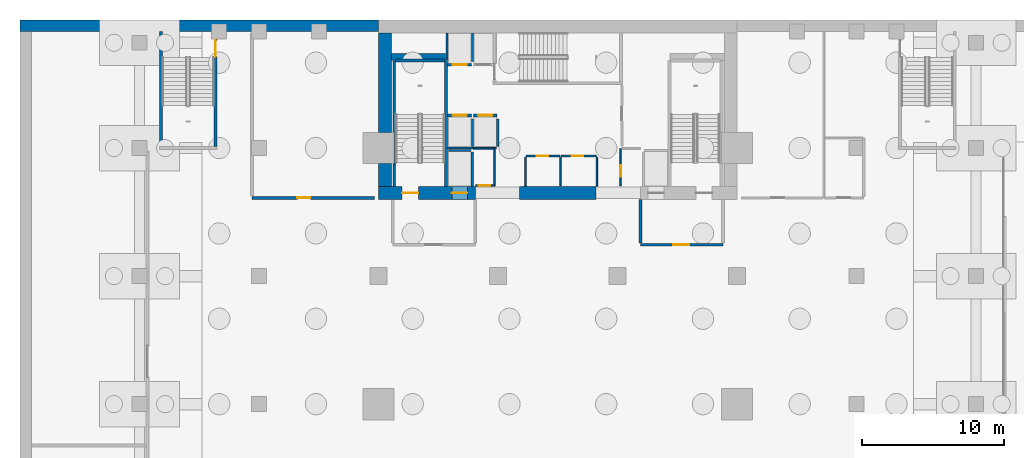
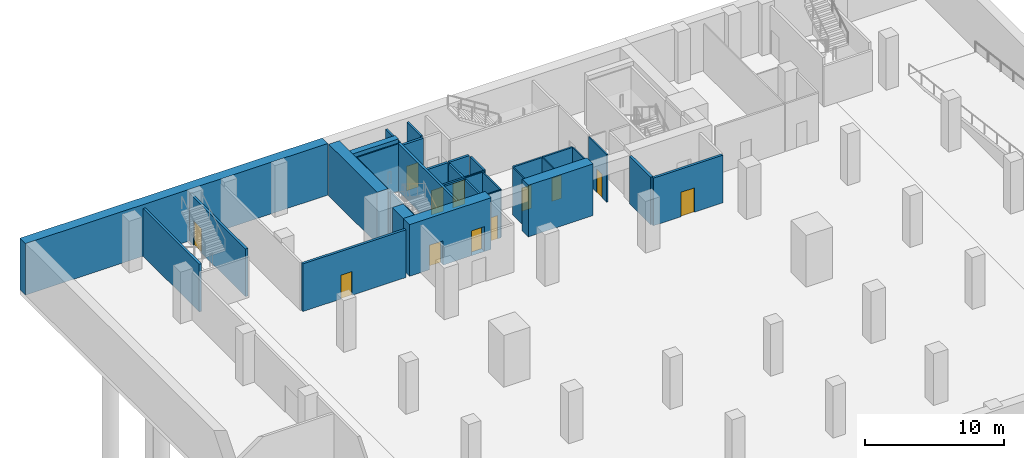
# One storey, part 3 of 9: 35 walls, 12 doors, 12 openings.
"""IFC4 building model written with IfcOpenShell, lengths in metres."""

from ifc_helpers import new_model, si_unit, direction, frame, frame_2d, origin, place, context, subcontext, project, spatial, rectangle, extrude, material, layer, layer_set, type_object, element, fill, save


model = new_model("IFC4")

# Units and contexts
model_context = context("Model", 3, precision=1e-05, world=origin(), true_north=direction((0.0, 1.0)))
body_context = subcontext(model_context, "Body", "Model", "MODEL_VIEW")
ifc_project = project(units=[si_unit("LENGTHUNIT", "METRE"), si_unit("AREAUNIT", "SQUARE_METRE"), si_unit("VOLUMEUNIT", "CUBIC_METRE"), si_unit("PLANEANGLEUNIT", "RADIAN"), si_unit("MASSUNIT", "GRAM", prefix="KILO")], contexts=[model_context])

# Site, building, storey
site_placement = place(None, origin())
site = spatial("IfcSite", under=ifc_project, at=site_placement, CompositionType="ELEMENT")
building_placement = place(site_placement, origin())
building = spatial("IfcBuilding", under=site, at=building_placement, Name="Maruvema Waterfront Hotel and Observation Tower", CompositionType="ELEMENT")
storey_placement = place(building_placement, frame((0.0, 0.0, -9.800048828125)))
storey = spatial("IfcBuildingStorey", under=building, at=storey_placement, Name="B02", CompositionType="ELEMENT", Elevation=-9.800048828125)

# Wall, opening, door
ifc_material_1 = material(Name="Twin-stud acoustic gypsum drywall", Category="gypsum")
ifc_layer_1 = layer(ifc_material_1, 0.14990234375, Name="Acoustic Corridor and Suite Demising Wall 150 mm")
ifc_layer_set_1 = layer_set([ifc_layer_1], Name="Twin-stud acoustic gypsum drywall")
wall_type_1 = type_object("IfcWallType", Name="Acoustic Corridor and Suite Demising Wall 150 mm", PredefinedType="PARTITIONING", material=ifc_layer_set_1)
wall_1_placement = place(storey_placement, frame((35.56005859375, 44.43994140625, 0.0), z_axis=(0.0, 0.0, 1.0), x_axis=(1.0, 0.0, 0.0)))
wall_1 = element("IfcWall", 1, at=wall_1_placement, inside=storey, type_object=wall_type_1, Name="B02 Core Riser Wall W 012", PredefinedType="PARTITIONING", context=body_context, shape_type="SweptSolid", body=[
    extrude(rectangle(XDim=2.39990234375, YDim=0.14990234375, at=frame_2d((1.199951171875, 0.0))), origin(), (0.0, 0.0, 1.0), 4.199951171875),
])
opening_1_placement = place(wall_1_placement, frame((0.75, 0.0, 0.0)))
opening_1 = element("IfcOpeningElement", 2, at=opening_1_placement, cuts=wall_1, Name="Opening DR-080", PredefinedType="OPENING", context=body_context, shape_type="SweptSolid", body=[
    extrude(rectangle(XDim=0.800048828125, YDim=2.050048828125, at=frame_2d((0.39990234375, 1.02490234375))), frame((0.0, 0.0849609375, 0.0), z_axis=(0.0, -1.0, 0.0), x_axis=(1.0, 0.0, 0.0)), (0.0, 0.0, 1.0), 0.169921875),
])
ifc_material_2 = material(Name="Powder-coated steel access leaf", Category="steel")
door_type_1 = type_object("IfcDoorType", Name="Riser and Service Cupboard Door 800x2050 mm", OperationType="NOTDEFINED", PredefinedType="DOOR", material=ifc_material_2)
door_1_placement = place(opening_1_placement, origin())
door_1 = element("IfcDoor", 3, at=door_1_placement, inside=storey, type_object=door_type_1, Name="B02 Electrical Riser Door", OperationType="SINGLE_SWING_RIGHT", OverallHeight=2.050048828125, OverallWidth=0.800048828125, PredefinedType="DOOR", context=body_context, shape_type="SweptSolid", body=[
    extrude(rectangle(XDim=0.800048828125, YDim=2.050048828125, at=frame_2d((0.39990234375, 1.02490234375))), frame((0.0, 0.02490234375, 0.0), z_axis=(0.0, -1.0, 0.0), x_axis=(1.0, 0.0, 0.0)), (0.0, 0.0, 1.0), 0.050048828125),
])
fill(opening_1, door_1)

wall_2_placement = place(storey_placement, frame((38.0400390625, 44.43994140625, 0.0), z_axis=(0.0, 0.0, 1.0), x_axis=(1.0, 0.0, 0.0)))
wall_2 = element("IfcWall", 4, at=wall_2_placement, inside=storey, type_object=wall_type_1, Name="B02 Core Riser Wall E 013", PredefinedType="PARTITIONING", context=body_context, shape_type="SweptSolid", body=[
    extrude(rectangle(XDim=2.47998046875, YDim=0.14990234375, at=frame_2d((1.239990234375, 0.0))), origin(), (0.0, 0.0, 1.0), 4.199951171875),
])
opening_2_placement = place(wall_2_placement, frame((0.75, 0.0, 0.0)))
opening_2 = element("IfcOpeningElement", 5, at=opening_2_placement, cuts=wall_2, Name="Opening DR-080", PredefinedType="OPENING", context=body_context, shape_type="SweptSolid", body=[
    extrude(rectangle(XDim=0.800048828125, YDim=2.050048828125, at=frame_2d((0.39990234375, 1.02490234375))), frame((0.0, 0.0849609375, 0.0), z_axis=(0.0, -1.0, 0.0), x_axis=(1.0, 0.0, 0.0)), (0.0, 0.0, 1.0), 0.169921875),
])
door_2_placement = place(opening_2_placement, origin())
door_2 = element("IfcDoor", 6, at=door_2_placement, inside=storey, type_object=door_type_1, Name="B02 Plumbing Riser Door", OperationType="SINGLE_SWING_LEFT", OverallHeight=2.050048828125, OverallWidth=0.800048828125, PredefinedType="DOOR", context=body_context, shape_type="SweptSolid", body=[
    extrude(rectangle(XDim=0.800048828125, YDim=2.050048828125, at=frame_2d((0.39990234375, 1.02490234375))), frame((0.0, 0.02490234375, 0.0), z_axis=(0.0, -1.0, 0.0), x_axis=(1.0, 0.0, 0.0)), (0.0, 0.0, 1.0), 0.050048828125),
])
fill(opening_2, door_2)

# Walls
ifc_material_3 = material(Name="Concrete C60/75", Category="concrete")
ifc_layer_2 = layer(ifc_material_3, 0.800048828125, Name="Basement Retaining Diaphragm Wall 800 mm")
ifc_layer_set_2 = layer_set([ifc_layer_2], Name="Concrete C60/75")
wall_type_2 = type_object("IfcWallType", Name="Basement Retaining Diaphragm Wall 800 mm", PredefinedType="USERDEFINED", material=ifc_layer_set_2)
wall_3_placement = place(storey_placement, frame((0.0, 53.60009765625, 0.0), z_axis=(0.0, 0.0, 1.0), x_axis=(1.0, 0.0, 0.0)))
element("IfcWall", 7, at=wall_3_placement, inside=storey, type_object=wall_type_2, Name="B02 North-West Retaining Diaphragm Wall 800 mm", ObjectType="RETAINING WALL", PredefinedType="USERDEFINED", context=body_context, shape_type="SweptSolid", body=[
    extrude(rectangle(XDim=25.199951171875, YDim=0.800048828125, at=frame_2d((12.60009765625, 0.0))), origin(), (0.0, 0.0, 1.0), 4.550048828125),
])
ifc_material_4 = material(Name="Precast concrete C45/55", Category="concrete")
ifc_layer_3 = layer(ifc_material_4, 0.199951171875, Name="Core Shaft and Stairwell Enclosure Wall 200 mm")
ifc_layer_set_3 = layer_set([ifc_layer_3], Name="Precast concrete C45/55")
wall_type_3 = type_object("IfcWallType", Name="Core Shaft and Stairwell Enclosure Wall 200 mm", PredefinedType="SOLIDWALL", material=ifc_layer_set_3)
wall_4_placement = place(storey_placement, frame((29.949951171875, 42.300048828125, 0.0), z_axis=(0.0, 0.0, 1.0), x_axis=(0.0, 1.0, 0.0)))
element("IfcWall", 8, at=wall_4_placement, inside=storey, type_object=wall_type_3, Name="B02 Stairwell ST-01 East Shaft Wall", PredefinedType="SOLIDWALL", context=body_context, shape_type="SweptSolid", body=[
    extrude(rectangle(XDim=8.849853515625, YDim=0.199951171875, at=frame_2d((4.4248046875, 0.0))), origin(), (0.0, 0.0, 1.0), 4.199951171875),
])
wall_5_placement = place(storey_placement, frame((26.300048828125, 42.300048828125, 0.0), z_axis=(0.0, 0.0, 1.0), x_axis=(0.0, 1.0, 0.0)))
element("IfcWall", 9, at=wall_5_placement, inside=storey, type_object=wall_type_3, Name="B02 Stairwell ST-01 Shaft Lining Wall", PredefinedType="SOLIDWALL", context=body_context, shape_type="SweptSolid", body=[
    extrude(rectangle(XDim=1.579833984375, YDim=0.199951171875, at=frame_2d((0.7900390625, 0.0))), origin(), (0.0, 0.0, 1.0), 4.199951171875),
])
wall_6_placement = place(storey_placement, frame((26.300048828125, 46.1201171875, 0.0), z_axis=(0.0, 0.0, 1.0), x_axis=(0.0, 1.0, 0.0)))
element("IfcWall", 10, at=wall_6_placement, inside=storey, type_object=wall_type_3, Name="B02 Stairwell ST-01 Shaft Lining Wall", PredefinedType="SOLIDWALL", context=body_context, shape_type="SweptSolid", body=[
    extrude(rectangle(XDim=5.0, YDim=0.199951171875, at=frame_2d((2.5, 0.0))), origin(), (0.0, 0.0, 1.0), 4.199951171875),
])
wall_7_placement = place(storey_placement, frame((26.3798828125, 51.14990234375, 0.0), z_axis=(0.0, 0.0, 1.0), x_axis=(1.0, 0.0, 0.0)))
element("IfcWall", 11, at=wall_7_placement, inside=storey, type_object=wall_type_3, Name="B02 Stairwell ST-01 Shaft Lining Wall", PredefinedType="SOLIDWALL", context=body_context, shape_type="SweptSolid", body=[
    extrude(rectangle(XDim=3.5, YDim=0.199951171875, at=frame_2d((1.75, 0.0))), origin(), (0.0, 0.0, 1.0), 4.199951171875),
])
wall_8_placement = place(storey_placement, frame((9.89990234375, 45.10009765625, 0.0), z_axis=(0.0, 0.0, 1.0), x_axis=(0.0, 1.0, 0.0)))
element("IfcWall", 12, at=wall_8_placement, inside=storey, type_object=wall_type_3, Name="B02 Stairwell ST-04 Shaft Wall", PredefinedType="SOLIDWALL", context=body_context, shape_type="SweptSolid", body=[
    extrude(rectangle(XDim=8.099853515625, YDim=0.199951171875, at=frame_2d((4.0498046875, 0.0))), origin(), (0.0, 0.0, 1.0), 4.199951171875),
])

# Wall, opening, door
wall_9_placement = place(storey_placement, frame((13.75, 45.10009765625, 0.0), z_axis=(0.0, 0.0, 1.0), x_axis=(0.0, 1.0, 0.0)))
wall_9 = element("IfcWall", 13, at=wall_9_placement, inside=storey, type_object=wall_type_3, Name="B02 Stairwell ST-04 Shaft Wall", PredefinedType="SOLIDWALL", context=body_context, shape_type="SweptSolid", body=[
    extrude(rectangle(XDim=8.099853515625, YDim=0.199951171875, at=frame_2d((4.0498046875, 0.0))), origin(), (0.0, 0.0, 1.0), 4.199951171875),
])
opening_3_placement = place(wall_9_placement, frame((6.320068359375, 0.0, 0.0)))
opening_3 = element("IfcOpeningElement", 14, at=opening_3_placement, cuts=wall_9, Name="Opening SD-01", PredefinedType="OPENING", context=body_context, shape_type="SweptSolid", body=[
    extrude(rectangle(XDim=1.14990234375, YDim=2.14990234375, at=frame_2d((0.574951171875, 1.074951171875))), frame((0.0, 0.10986328125, 0.0), z_axis=(0.0, -1.0, 0.0), x_axis=(1.0, 0.0, 0.0)), (0.0, 0.0, 1.0), 0.219970703125),
])
ifc_material_5 = material(Name="Fire-rated galvanised steel leaf", Category="steel")
door_type_2 = type_object("IfcDoorType", Name="Exit Stair Fire Door 1150x2150 mm", OperationType="NOTDEFINED", PredefinedType="DOOR", material=ifc_material_5)
door_3_placement = place(opening_3_placement, origin())
door_3 = element("IfcDoor", 15, at=door_3_placement, inside=storey, type_object=door_type_2, Name="B02 Exit Stair ST-04 Fire Door", OperationType="SINGLE_SWING_RIGHT", OverallHeight=2.14990234375, OverallWidth=1.14990234375, PredefinedType="DOOR", context=body_context, shape_type="SweptSolid", body=[
    extrude(rectangle(XDim=1.14990234375, YDim=2.14990234375, at=frame_2d((0.574951171875, 1.074951171875))), frame((0.0, 0.02490234375, 0.0), z_axis=(0.0, -1.0, 0.0), x_axis=(1.0, 0.0, 0.0)), (0.0, 0.0, 1.0), 0.050048828125),
])
fill(opening_3, door_3)

wall_10_placement = place(storey_placement, frame((30.06005859375, 47.300048828125, 0.0), z_axis=(0.0, 0.0, 1.0), x_axis=(1.0, 0.0, 0.0)))
wall_10 = element("IfcWall", 16, at=wall_10_placement, inside=storey, type_object=wall_type_3, Name="B02 Lift LF-01 Hoistway Front Wall", PredefinedType="SOLIDWALL", context=body_context, shape_type="SweptSolid", body=[
    extrude(rectangle(XDim=1.679931640625, YDim=0.199951171875, at=frame_2d((0.83984375, 0.0))), origin(), (0.0, 0.0, 1.0), 4.199951171875),
])
opening_4_placement = place(wall_10_placement, frame((0.340087890625, 0.0, 0.0)))
opening_4 = element("IfcOpeningElement", 17, at=opening_4_placement, cuts=wall_10, Name="Opening LD-01", PredefinedType="OPENING", context=body_context, shape_type="SweptSolid", body=[
    extrude(rectangle(XDim=1.0, YDim=2.14990234375, at=frame_2d((0.5, 1.074951171875))), frame((0.0, 0.10986328125, 0.0), z_axis=(0.0, -1.0, 0.0), x_axis=(1.0, 0.0, 0.0)), (0.0, 0.0, 1.0), 0.219970703125),
])
ifc_material_6 = material(Name="Brushed stainless steel Grade 316", Category="steel")
door_type_3 = type_object("IfcDoorType", Name="Passenger Lift Sliding Landing Door 1000x2150 mm", OperationType="SLIDING_TO_LEFT", PredefinedType="DOOR", material=ifc_material_6)
door_4_placement = place(opening_4_placement, origin())
door_4 = element("IfcDoor", 18, at=door_4_placement, inside=storey, type_object=door_type_3, Name="B02 Lift LF-01 Sliding Landing Door", OperationType="SLIDING_TO_LEFT", OverallHeight=2.14990234375, OverallWidth=1.0, PredefinedType="DOOR", context=body_context, shape_type="SweptSolid", body=[
    extrude(rectangle(XDim=1.0, YDim=2.14990234375, at=frame_2d((0.5, 1.074951171875))), frame((0.0, 0.02490234375, 0.0), z_axis=(0.0, -1.0, 0.0), x_axis=(1.0, 0.0, 0.0)), (0.0, 0.0, 1.0), 0.050048828125),
])
fill(opening_4, door_4)

wall_11_placement = place(storey_placement, frame((31.860107421875, 47.300048828125, 0.0), z_axis=(0.0, 0.0, 1.0), x_axis=(1.0, 0.0, 0.0)))
wall_11 = element("IfcWall", 19, at=wall_11_placement, inside=storey, type_object=wall_type_3, Name="B02 Lift LF-02 Hoistway Front Wall", PredefinedType="SOLIDWALL", context=body_context, shape_type="SweptSolid", body=[
    extrude(rectangle(XDim=1.679931640625, YDim=0.199951171875, at=frame_2d((0.83984375, 0.0))), origin(), (0.0, 0.0, 1.0), 4.199951171875),
])
opening_5_placement = place(wall_11_placement, frame((0.340087890625, 0.0, 0.0)))
opening_5 = element("IfcOpeningElement", 20, at=opening_5_placement, cuts=wall_11, Name="Opening LD-01", PredefinedType="OPENING", context=body_context, shape_type="SweptSolid", body=[
    extrude(rectangle(XDim=1.0, YDim=2.14990234375, at=frame_2d((0.5, 1.074951171875))), frame((0.0, 0.10986328125, 0.0), z_axis=(0.0, -1.0, 0.0), x_axis=(1.0, 0.0, 0.0)), (0.0, 0.0, 1.0), 0.219970703125),
])
door_5_placement = place(opening_5_placement, origin())
door_5 = element("IfcDoor", 21, at=door_5_placement, inside=storey, type_object=door_type_3, Name="B02 Lift LF-02 Sliding Landing Door", OperationType="SLIDING_TO_LEFT", OverallHeight=2.14990234375, OverallWidth=1.0, PredefinedType="DOOR", context=body_context, shape_type="SweptSolid", body=[
    extrude(rectangle(XDim=1.0, YDim=2.14990234375, at=frame_2d((0.5, 1.074951171875))), frame((0.0, 0.02490234375, 0.0), z_axis=(0.0, -1.0, 0.0), x_axis=(1.0, 0.0, 0.0)), (0.0, 0.0, 1.0), 0.050048828125),
])
fill(opening_5, door_5)

wall_12_placement = place(storey_placement, frame((30.06005859375, 50.85009765625, 0.0), z_axis=(0.0, 0.0, 1.0), x_axis=(1.0, 0.0, 0.0)))
wall_12 = element("IfcWall", 22, at=wall_12_placement, inside=storey, type_object=wall_type_3, Name="B02 Lift LF-03 Hoistway Front Wall", PredefinedType="SOLIDWALL", context=body_context, shape_type="SweptSolid", body=[
    extrude(rectangle(XDim=1.679931640625, YDim=0.199951171875, at=frame_2d((0.83984375, 0.0))), origin(), (0.0, 0.0, 1.0), 4.199951171875),
])
opening_6_placement = place(wall_12_placement, frame((0.340087890625, 0.0, 0.0)))
opening_6 = element("IfcOpeningElement", 23, at=opening_6_placement, cuts=wall_12, Name="Opening LD-01", PredefinedType="OPENING", context=body_context, shape_type="SweptSolid", body=[
    extrude(rectangle(XDim=1.0, YDim=2.14990234375, at=frame_2d((0.5, 1.074951171875))), frame((0.0, 0.10986328125, 0.0), z_axis=(0.0, -1.0, 0.0), x_axis=(1.0, 0.0, 0.0)), (0.0, 0.0, 1.0), 0.219970703125),
])
door_6_placement = place(opening_6_placement, frame((1.0, 0.0, 0.0), z_axis=(0.0, 0.0, 1.0), x_axis=(-1.0, 0.0, 0.0)))
door_6 = element("IfcDoor", 24, at=door_6_placement, inside=storey, type_object=door_type_3, Name="B02 Lift LF-03 Sliding Landing Door", OperationType="SLIDING_TO_LEFT", OverallHeight=2.14990234375, OverallWidth=1.0, PredefinedType="DOOR", context=body_context, shape_type="SweptSolid", body=[
    extrude(rectangle(XDim=1.0, YDim=2.14990234375, at=frame_2d((0.5, 1.074951171875))), frame((0.0, 0.02490234375, 0.0), z_axis=(0.0, -1.0, 0.0), x_axis=(1.0, 0.0, 0.0)), (0.0, 0.0, 1.0), 0.050048828125),
])
fill(opening_6, door_6)

# Wall
ifc_material_7 = material(Name="Concrete C70/85", Category="concrete")
ifc_layer_4 = layer(ifc_material_7, 0.5, Name="Core Shear Wall 500 mm")
ifc_layer_set_4 = layer_set([ifc_layer_4], Name="Concrete C70/85")
wall_type_4 = type_object("IfcWallType", Name="Core Shear Wall 500 mm", PredefinedType="SHEAR", material=ifc_layer_set_4)
wall_13_placement = place(storey_placement, frame((26.10009765625, 51.39990234375, 0.0), z_axis=(0.0, 0.0, 1.0), x_axis=(1.0, 0.0, 0.0)))
element("IfcWall", 25, at=wall_13_placement, inside=storey, type_object=wall_type_4, Name="B02 Internal Core Shear Wall NW 500 mm", PredefinedType="SHEAR", context=body_context, shape_type="SweptSolid", body=[
    extrude(rectangle(XDim=3.7998046875, YDim=0.5, at=frame_2d((1.89990234375, 0.0))), origin(), (0.0, 0.0, 1.0), 4.550048828125),
])

# Wall, openings, doors
ifc_material_8 = material(Name="Concrete C80/95", Category="concrete")
ifc_layer_5 = layer(ifc_material_8, 0.89990234375, Name="Core Shear Wall 900 mm")
ifc_layer_set_5 = layer_set([ifc_layer_5], Name="Concrete C80/95")
wall_type_5 = type_object("IfcWallType", Name="Core Shear Wall 900 mm", PredefinedType="SHEAR", material=ifc_layer_set_5)
wall_14_placement = place(storey_placement, frame((25.199951171875, 41.85009765625, 0.0), z_axis=(0.0, 0.0, 1.0), x_axis=(1.0, 0.0, 0.0)))
wall_14 = element("IfcWall", 26, at=wall_14_placement, inside=storey, type_object=wall_type_5, Name="B02 South-West Core Shear Wall", PredefinedType="SHEAR", context=body_context, shape_type="SweptSolid", body=[
    extrude(rectangle(XDim=6.800048828125, YDim=0.89990234375, at=frame_2d((3.39990234375, 0.0))), origin(), (0.0, 0.0, 1.0), 4.550048828125),
])
opening_7_placement = place(wall_14_placement, frame((1.64990234375, 0.0, 0.0)))
opening_7 = element("IfcOpeningElement", 27, at=opening_7_placement, cuts=wall_14, Name="Opening SD-01", PredefinedType="OPENING", context=body_context, shape_type="SweptSolid", body=[
    extrude(rectangle(XDim=1.14990234375, YDim=2.14990234375, at=frame_2d((0.574951171875, 1.074951171875))), frame((0.0, 0.4599609375, 0.0), z_axis=(0.0, -1.0, 0.0), x_axis=(1.0, 0.0, 0.0)), (0.0, 0.0, 1.0), 0.919921875),
])
opening_8_placement = place(wall_14_placement, frame((5.14990234375, 0.0, 0.0)))
opening_8 = element("IfcOpeningElement", 28, at=opening_8_placement, cuts=wall_14, Name="Opening LD-03", PredefinedType="OPENING", context=body_context, shape_type="SweptSolid", body=[
    extrude(rectangle(XDim=1.10009765625, YDim=2.199951171875, at=frame_2d((0.550048828125, 1.10009765625))), frame((0.0, 0.4599609375, 0.0), z_axis=(0.0, -1.0, 0.0), x_axis=(1.0, 0.0, 0.0)), (0.0, 0.0, 1.0), 0.919921875),
])
door_7_placement = place(opening_7_placement, origin())
door_7 = element("IfcDoor", 29, at=door_7_placement, inside=storey, type_object=door_type_2, Name="B02 Exit Stair ST-01 Fire Door", OperationType="SINGLE_SWING_LEFT", OverallHeight=2.14990234375, OverallWidth=1.14990234375, PredefinedType="DOOR", context=body_context, shape_type="SweptSolid", body=[
    extrude(rectangle(XDim=1.14990234375, YDim=2.14990234375, at=frame_2d((0.574951171875, 1.074951171875))), frame((0.0, 0.02490234375, 0.0), z_axis=(0.0, -1.0, 0.0), x_axis=(1.0, 0.0, 0.0)), (0.0, 0.0, 1.0), 0.050048828125),
])
fill(opening_7, door_7)
ifc_material_9 = material(Name="Brushed stainless steel Grade 316", Category="steel")
door_type_4 = type_object("IfcDoorType", Name="Firefighting Lift Sliding Landing Door 1100x2200 mm", OperationType="SLIDING_TO_LEFT", PredefinedType="DOOR", material=ifc_material_9)
door_8_placement = place(opening_8_placement, frame((1.10009765625, 0.0, 0.0), z_axis=(0.0, 0.0, 1.0), x_axis=(-1.0, 0.0, 0.0)))
door_8 = element("IfcDoor", 30, at=door_8_placement, inside=storey, type_object=door_type_4, Name="B02 Firefighting Lift FL-01 Landing Door", OperationType="SLIDING_TO_LEFT", OverallHeight=2.199951171875, OverallWidth=1.10009765625, PredefinedType="DOOR", context=body_context, shape_type="SweptSolid", body=[
    extrude(rectangle(XDim=1.10009765625, YDim=2.199951171875, at=frame_2d((0.550048828125, 1.10009765625))), frame((0.0, 0.02490234375, 0.0), z_axis=(0.0, -1.0, 0.0), x_axis=(1.0, 0.0, 0.0)), (0.0, 0.0, 1.0), 0.050048828125),
])
fill(opening_8, door_8)

# Walls
wall_15_placement = place(storey_placement, frame((35.10009765625, 41.85009765625, 0.0), z_axis=(0.0, 0.0, 1.0), x_axis=(1.0, 0.0, 0.0)))
element("IfcWall", 31, at=wall_15_placement, inside=storey, type_object=wall_type_5, Name="B02 South-Central Core Shear Wall", PredefinedType="SHEAR", context=body_context, shape_type="SweptSolid", body=[
    extrude(rectangle(XDim=5.39990234375, YDim=0.89990234375, at=frame_2d((2.699951171875, 0.0))), origin(), (0.0, 0.0, 1.0), 4.550048828125),
])
wall_16_placement = place(storey_placement, frame((25.64990234375, 42.300048828125, 0.0), z_axis=(0.0, 0.0, 1.0), x_axis=(0.0, 1.0, 0.0)))
element("IfcWall", 32, at=wall_16_placement, inside=storey, type_object=wall_type_5, Name="B02 West-South Core Shear Wall", PredefinedType="SHEAR", context=body_context, shape_type="SweptSolid", body=[
    extrude(rectangle(XDim=1.599853515625, YDim=0.89990234375, at=frame_2d((0.7998046875, 0.0))), origin(), (0.0, 0.0, 1.0), 4.550048828125),
])
wall_17_placement = place(storey_placement, frame((25.64990234375, 46.10009765625, 0.0), z_axis=(0.0, 0.0, 1.0), x_axis=(0.0, 1.0, 0.0)))
element("IfcWall", 33, at=wall_17_placement, inside=storey, type_object=wall_type_5, Name="B02 West-North Core Shear Wall", PredefinedType="SHEAR", context=body_context, shape_type="SweptSolid", body=[
    extrude(rectangle(XDim=7.0, YDim=0.89990234375, at=frame_2d((3.5, 0.0))), origin(), (0.0, 0.0, 1.0), 4.550048828125),
])

# Wall, opening, door
ifc_material_10 = material(Name="Moisture-resistant cement-board drywall", Category="gypsum")
ifc_layer_6 = layer(ifc_material_10, 0.10009765625, Name="En-Suite Moisture-Resistant Partition 100 mm")
ifc_layer_set_6 = layer_set([ifc_layer_6], Name="Moisture-resistant cement-board drywall")
wall_type_6 = type_object("IfcWallType", Name="En-Suite Moisture-Resistant Partition 100 mm", PredefinedType="PARTITIONING", material=ifc_layer_set_6)
wall_18_placement = place(storey_placement, frame((32.02001953125, 42.360107421875, 0.0), z_axis=(0.0, 0.0, 1.0), x_axis=(1.0, 0.0, 0.0)))
wall_18 = element("IfcWall", 34, at=wall_18_placement, inside=storey, type_object=wall_type_6, Name="B02 Telecom Riser South Wall 007", PredefinedType="PARTITIONING", context=body_context, shape_type="SweptSolid", body=[
    extrude(rectangle(XDim=1.320068359375, YDim=0.10009765625, at=frame_2d((0.66015625, 0.0))), origin(), (0.0, 0.0, 1.0), 4.199951171875),
])
opening_9_placement = place(wall_18_placement, frame((0.239990234375, 0.0, 0.0)))
opening_9 = element("IfcOpeningElement", 35, at=opening_9_placement, cuts=wall_18, Name="Opening DR-080", PredefinedType="OPENING", context=body_context, shape_type="SweptSolid", body=[
    extrude(rectangle(XDim=0.800048828125, YDim=2.050048828125, at=frame_2d((0.39990234375, 1.02490234375))), frame((0.0, 0.06005859375, 0.0), z_axis=(0.0, -1.0, 0.0), x_axis=(1.0, 0.0, 0.0)), (0.0, 0.0, 1.0), 0.1201171875),
])
door_9_placement = place(opening_9_placement, frame((0.800048828125, 0.0, 0.0), z_axis=(0.0, 0.0, 1.0), x_axis=(-1.0, 0.0, 0.0)))
door_9 = element("IfcDoor", 36, at=door_9_placement, inside=storey, type_object=door_type_1, Name="B02 Telecom Riser Door", OperationType="SINGLE_SWING_RIGHT", OverallHeight=2.050048828125, OverallWidth=0.800048828125, PredefinedType="DOOR", context=body_context, shape_type="SweptSolid", body=[
    extrude(rectangle(XDim=0.800048828125, YDim=2.050048828125, at=frame_2d((0.39990234375, 1.02490234375))), frame((0.0, 0.02490234375, 0.0), z_axis=(0.0, -1.0, 0.0), x_axis=(1.0, 0.0, 0.0)), (0.0, 0.0, 1.0), 0.050048828125),
])
fill(opening_9, door_9)

# Walls
wall_19_placement = place(storey_placement, frame((31.840087890625, 44.9599609375, 0.0), z_axis=(0.0, 0.0, 1.0), x_axis=(1.0, 0.0, 0.0)))
element("IfcWall", 37, at=wall_19_placement, inside=storey, type_object=wall_type_6, Name="B02 Telecom Riser North Wall 008", PredefinedType="PARTITIONING", context=body_context, shape_type="SweptSolid", body=[
    extrude(rectangle(XDim=1.47998046875, YDim=0.10009765625, at=frame_2d((0.739990234375, 0.0))), origin(), (0.0, 0.0, 1.0), 4.199951171875),
])
wall_20_placement = place(storey_placement, frame((33.360107421875, 42.360107421875, 0.0), z_axis=(0.0, 0.0, 1.0), x_axis=(0.0, 1.0, 0.0)))
element("IfcWall", 38, at=wall_20_placement, inside=storey, type_object=wall_type_6, Name="B02 Telecom Riser East Wall 009", PredefinedType="PARTITIONING", context=body_context, shape_type="SweptSolid", body=[
    extrude(rectangle(XDim=2.579833984375, YDim=0.10009765625, at=frame_2d((1.2900390625, 0.0))), origin(), (0.0, 0.0, 1.0), 4.199951171875),
])

# Wall, opening, door
wall_21_placement = place(storey_placement, frame((42.219970703125, 42.35009765625, 0.0), z_axis=(0.0, 0.0, 1.0), x_axis=(0.0, 1.0, 0.0)))
wall_21 = element("IfcWall", 39, at=wall_21_placement, inside=storey, type_object=wall_type_6, Name="B02 Core Closet K1 West 010", PredefinedType="PARTITIONING", context=body_context, shape_type="SweptSolid", body=[
    extrude(rectangle(XDim=2.60986328125, YDim=0.10009765625, at=frame_2d((1.304931640625, 0.0))), origin(), (0.0, 0.0, 1.0), 4.199951171875),
])
opening_10_placement = place(wall_21_placement, frame((0.64990234375, 0.0, 0.0)))
opening_10 = element("IfcOpeningElement", 40, at=opening_10_placement, cuts=wall_21, Name="Opening DR-080", PredefinedType="OPENING", context=body_context, shape_type="SweptSolid", body=[
    extrude(rectangle(XDim=0.800048828125, YDim=2.050048828125, at=frame_2d((0.39990234375, 1.02490234375))), frame((0.0, 0.06005859375, 0.0), z_axis=(0.0, -1.0, 0.0), x_axis=(1.0, 0.0, 0.0)), (0.0, 0.0, 1.0), 0.1201171875),
])
door_10_placement = place(opening_10_placement, frame((0.800048828125, 0.0, 0.0), z_axis=(0.0, 0.0, 1.0), x_axis=(-1.0, 0.0, 0.0)))
door_10 = element("IfcDoor", 41, at=door_10_placement, inside=storey, type_object=door_type_1, Name="B02 Core Cleaning Store Door", OperationType="SINGLE_SWING_LEFT", OverallHeight=2.050048828125, OverallWidth=0.800048828125, PredefinedType="DOOR", context=body_context, shape_type="SweptSolid", body=[
    extrude(rectangle(XDim=0.800048828125, YDim=2.050048828125, at=frame_2d((0.39990234375, 1.02490234375))), frame((0.0, 0.02490234375, 0.0), z_axis=(0.0, -1.0, 0.0), x_axis=(1.0, 0.0, 0.0)), (0.0, 0.0, 1.0), 0.050048828125),
])
fill(opening_10, door_10)

# Walls
for number, where, z_axis, x_axis, name in (
    (42, (35.5400390625, 42.320068359375, 0.0), (0.0, 0.0, 1.0), (0.0, 1.0, 0.0), "B02 Core Riser Side W 014"),
    (43, (40.5400390625, 42.320068359375, 0.0), (0.0, 0.0, 1.0), (0.0, 1.0, 0.0), "B02 Core Riser Side E 015"),
):
    element("IfcWall", number, at=place(storey_placement, frame(where, z_axis=z_axis, x_axis=x_axis)), inside=storey, type_object=wall_type_6, Name=name, PredefinedType="PARTITIONING", context=body_context, shape_type="SweptSolid", body=[
        extrude(rectangle(XDim=2.0400390625, YDim=0.10009765625, at=frame_2d((1.02001953125, 0.0))), origin(), (0.0, 0.0, 1.0), 4.199951171875),
    ])
wall_22_placement = place(storey_placement, frame((38.0, 42.35009765625, 0.0), z_axis=(0.0, 0.0, 1.0), x_axis=(0.0, 1.0, 0.0)))
element("IfcWall", 44, at=wall_22_placement, inside=storey, type_object=wall_type_6, Name="B02 Core Riser Split 016", PredefinedType="PARTITIONING", context=body_context, shape_type="SweptSolid", body=[
    extrude(rectangle(XDim=2.010009765625, YDim=0.10009765625, at=frame_2d((1.0048828125, 0.0))), origin(), (0.0, 0.0, 1.0), 4.199951171875),
])

# Wall, opening, door
ifc_material_11 = material(Name="Autoclaved cellular concrete blockwork", Category="masonry")
ifc_layer_7 = layer(ifc_material_11, 0.199951171875, Name="Fire Compartment Masonry Wall 200 mm")
ifc_layer_set_7 = layer_set([ifc_layer_7], Name="Autoclaved cellular concrete blockwork")
wall_type_7 = type_object("IfcWallType", Name="Fire Compartment Masonry Wall 200 mm", PredefinedType="PARTITIONING", material=ifc_layer_set_7)
wall_23_placement = place(storey_placement, frame((43.60009765625, 38.199951171875, 0.0), z_axis=(0.0, 0.0, 1.0), x_axis=(1.0, 0.0, 0.0)))
wall_23 = element("IfcWall", 45, at=wall_23_placement, inside=storey, type_object=wall_type_7, Name="B02 FFL East South Wall 004", PredefinedType="PARTITIONING", context=body_context, shape_type="SweptSolid", body=[
    extrude(rectangle(XDim=5.7998046875, YDim=0.199951171875, at=frame_2d((2.89990234375, 0.0))), origin(), (0.0, 0.0, 1.0), 4.199951171875),
])
opening_11_placement = place(wall_23_placement, frame((2.300048828125, 0.0, 0.0)))
opening_11 = element("IfcOpeningElement", 46, at=opening_11_placement, cuts=wall_23, Name="Opening FD-115", PredefinedType="OPENING", context=body_context, shape_type="SweptSolid", body=[
    extrude(rectangle(XDim=1.14990234375, YDim=2.14990234375, at=frame_2d((0.574951171875, 1.074951171875))), frame((0.0, 0.10986328125, 0.0), z_axis=(0.0, -1.0, 0.0), x_axis=(1.0, 0.0, 0.0)), (0.0, 0.0, 1.0), 0.219970703125),
])
ifc_material_12 = material(Name="Fire-rated galvanised steel and vision glass", Category="steel")
door_type_5 = type_object("IfcDoorType", Name="Firefighting Lobby Fire Door 1150x2150 mm", OperationType="NOTDEFINED", PredefinedType="DOOR", material=ifc_material_12)
door_11_placement = place(opening_11_placement, frame((1.14990234375, 0.0, 0.0), z_axis=(0.0, 0.0, 1.0), x_axis=(-1.0, 0.0, 0.0)))
door_11 = element("IfcDoor", 47, at=door_11_placement, inside=storey, type_object=door_type_5, Name="B02 Firefighting Lobby East Door", OperationType="SINGLE_SWING_LEFT", OverallHeight=2.14990234375, OverallWidth=1.14990234375, PredefinedType="DOOR", context=body_context, shape_type="SweptSolid", body=[
    extrude(rectangle(XDim=1.14990234375, YDim=2.14990234375, at=frame_2d((0.574951171875, 1.074951171875))), frame((0.0, 0.02490234375, 0.0), z_axis=(0.0, -1.0, 0.0), x_axis=(1.0, 0.0, 0.0)), (0.0, 0.0, 1.0), 0.050048828125),
])
fill(opening_11, door_11)

# Wall
wall_24_placement = place(storey_placement, frame((43.60009765625, 38.31005859375, 0.0), z_axis=(0.0, 0.0, 1.0), x_axis=(0.0, 1.0, 0.0)))
element("IfcWall", 48, at=wall_24_placement, inside=storey, type_object=wall_type_7, Name="B02 FFL East West Wall 005", PredefinedType="PARTITIONING", context=body_context, shape_type="SweptSolid", body=[
    extrude(rectangle(XDim=3.06982421875, YDim=0.199951171875, at=frame_2d((1.534912109375, 0.0))), origin(), (0.0, 0.0, 1.0), 4.199951171875),
])

# Wall, opening, door
wall_25_placement = place(storey_placement, frame((16.300048828125, 41.5, 0.0), z_axis=(0.0, 0.0, 1.0), x_axis=(1.0, 0.0, 0.0)))
wall_25 = element("IfcWall", 49, at=wall_25_placement, inside=storey, type_object=wall_type_7, Name="B02 B02 NW Plant South Wall 020", PredefinedType="PARTITIONING", context=body_context, shape_type="SweptSolid", body=[
    extrude(rectangle(XDim=8.599853515625, YDim=0.199951171875, at=frame_2d((4.2998046875, 0.0))), origin(), (0.0, 0.0, 1.0), 4.199951171875),
])
opening_12_placement = place(wall_25_placement, frame((3.199951171875, 0.0, 0.0)))
opening_12 = element("IfcOpeningElement", 50, at=opening_12_placement, cuts=wall_25, Name="Opening DR-090", PredefinedType="OPENING", context=body_context, shape_type="SweptSolid", body=[
    extrude(rectangle(XDim=0.89990234375, YDim=2.10009765625, at=frame_2d((0.449951171875, 1.050048828125))), frame((0.0, 0.10986328125, 0.0), z_axis=(0.0, -1.0, 0.0), x_axis=(1.0, 0.0, 0.0)), (0.0, 0.0, 1.0), 0.219970703125),
])
ifc_material_13 = material(Name="Solid-core lacquered timber leaf", Category="wood")
door_type_6 = type_object("IfcDoorType", Name="Accessible Toilet and Room Door 900x2100 mm", OperationType="NOTDEFINED", PredefinedType="DOOR", material=ifc_material_13)
door_12_placement = place(opening_12_placement, frame((0.89990234375, 0.0, 0.0), z_axis=(0.0, 0.0, 1.0), x_axis=(-1.0, 0.0, 0.0)))
door_12 = element("IfcDoor", 51, at=door_12_placement, inside=storey, type_object=door_type_6, Name="B02 Sprinkler Pump Plant Room Door", OperationType="SINGLE_SWING_LEFT", OverallHeight=2.10009765625, OverallWidth=0.89990234375, PredefinedType="DOOR", context=body_context, shape_type="SweptSolid", body=[
    extrude(rectangle(XDim=0.89990234375, YDim=2.10009765625, at=frame_2d((0.449951171875, 1.050048828125))), frame((0.0, 0.02490234375, 0.0), z_axis=(0.0, -1.0, 0.0), x_axis=(1.0, 0.0, 0.0)), (0.0, 0.0, 1.0), 0.050048828125),
])
fill(opening_12, door_12)

# Walls
ifc_material_14 = material(Name="Precast concrete C45/55", Category="concrete")
ifc_layer_8 = layer(ifc_material_14, 0.159912109375, Name="Lift Hoistway Divider Wall 160 mm")
ifc_layer_set_8 = layer_set([ifc_layer_8], Name="Precast concrete C45/55")
wall_type_8 = type_object("IfcWallType", Name="Lift Hoistway Divider Wall 160 mm", PredefinedType="SOLIDWALL", material=ifc_layer_set_8)
wall_26_placement = place(storey_placement, frame((30.10009765625, 44.830078125, 0.0), z_axis=(0.0, 0.0, 1.0), x_axis=(1.0, 0.0, 0.0)))
element("IfcWall", 52, at=wall_26_placement, inside=storey, type_object=wall_type_8, Name="B02 Lift FL-01 Rear Hoistway Wall", PredefinedType="SOLIDWALL", context=body_context, shape_type="SweptSolid", body=[
    extrude(rectangle(XDim=1.599853515625, YDim=0.159912109375, at=frame_2d((0.7998046875, 0.0))), origin(), (0.0, 0.0, 1.0), 4.199951171875),
])
wall_27_placement = place(storey_placement, frame((31.780029296875, 42.300048828125, 0.0), z_axis=(0.0, 0.0, 1.0), x_axis=(0.0, 1.0, 0.0)))
element("IfcWall", 53, at=wall_27_placement, inside=storey, type_object=wall_type_8, Name="B02 Lift FL-01 Inner Hoistway Wall", PredefinedType="SOLIDWALL", context=body_context, shape_type="SweptSolid", body=[
    extrude(rectangle(XDim=2.43994140625, YDim=0.159912109375, at=frame_2d((1.219970703125, 0.0))), origin(), (0.0, 0.0, 1.0), 4.199951171875),
])
for number, where, z_axis, x_axis, name in (
    (54, (31.800048828125, 45.10009765625, 0.0), (0.0, 0.0, 1.0), (0.0, 1.0, 0.0), "B02 Hoistway Divider Wall"),
    (55, (33.580078125, 45.10009765625, 0.0), (0.0, 0.0, 1.0), (0.0, 1.0, 0.0), "B02 Hoistway Divider Wall"),
):
    element("IfcWall", number, at=place(storey_placement, frame(where, z_axis=z_axis, x_axis=x_axis)), inside=storey, type_object=wall_type_8, Name=name, PredefinedType="SOLIDWALL", context=body_context, shape_type="SweptSolid", body=[
        extrude(rectangle(XDim=1.949951171875, YDim=0.159912109375, at=frame_2d((0.97509765625, 0.0))), origin(), (0.0, 0.0, 1.0), 4.199951171875),
    ])
wall_28_placement = place(storey_placement, frame((30.050048828125, 45.010009765625, 0.0), z_axis=(0.0, 0.0, 1.0), x_axis=(1.0, 0.0, 0.0)))
element("IfcWall", 56, at=wall_28_placement, inside=storey, type_object=wall_type_8, Name="B02 Hoistway Divider Wall", PredefinedType="SOLIDWALL", context=body_context, shape_type="SweptSolid", body=[
    extrude(rectangle(XDim=3.449951171875, YDim=0.159912109375, at=frame_2d((1.72509765625, 0.0))), origin(), (0.0, 0.0, 1.0), 4.199951171875),
])
wall_29_placement = place(storey_placement, frame((30.010009765625, 51.179931640625, 0.0), z_axis=(0.0, 0.0, 1.0), x_axis=(0.0, 1.0, 0.0)))
element("IfcWall", 57, at=wall_29_placement, inside=storey, type_object=wall_type_8, Name="B02 Hoistway Divider Wall", PredefinedType="SOLIDWALL", context=body_context, shape_type="SweptSolid", body=[
    extrude(rectangle(XDim=1.920166015625, YDim=0.159912109375, at=frame_2d((0.9599609375, 0.0))), origin(), (0.0, 0.0, 1.0), 4.199951171875),
])
wall_30_placement = place(storey_placement, frame((31.800048828125, 51.10009765625, 0.0), z_axis=(0.0, 0.0, 1.0), x_axis=(0.0, 1.0, 0.0)))
element("IfcWall", 58, at=wall_30_placement, inside=storey, type_object=wall_type_8, Name="B02 Hoistway Divider Wall", PredefinedType="SOLIDWALL", context=body_context, shape_type="SweptSolid", body=[
    extrude(rectangle(XDim=2.0, YDim=0.159912109375, at=frame_2d((1.0, 0.0))), origin(), (0.0, 0.0, 1.0), 4.199951171875),
])
ifc_material_15 = material(Name="Precast concrete C45/55", Category="concrete")
ifc_layer_9 = layer(ifc_material_15, 0.10009765625, Name="Stairwell Stringer Cheek Wall 100 mm")
ifc_layer_set_9 = layer_set([ifc_layer_9], Name="Precast concrete C45/55")
wall_type_9 = type_object("IfcWallType", Name="Stairwell Stringer Cheek Wall 100 mm", PredefinedType="SOLIDWALL", material=ifc_layer_set_9)
wall_31_placement = place(storey_placement, frame((26.35205078125, 43.89990234375, 0.0), z_axis=(0.0, 0.0, 1.0), x_axis=(0.0, 1.0, 0.0)))
element("IfcWall", 59, at=wall_31_placement, inside=storey, type_object=wall_type_9, Name="B02 Stairwell ST-01 Mega-Column Cheek Wall", PredefinedType="SOLIDWALL", context=body_context, shape_type="SweptSolid", body=[
    extrude(rectangle(XDim=2.2001953125, YDim=0.10009765625, at=frame_2d((1.10009765625, 0.0))), origin(), (0.0, 0.0, 1.0), 4.199951171875),
])

save(model, "model.ifc")
